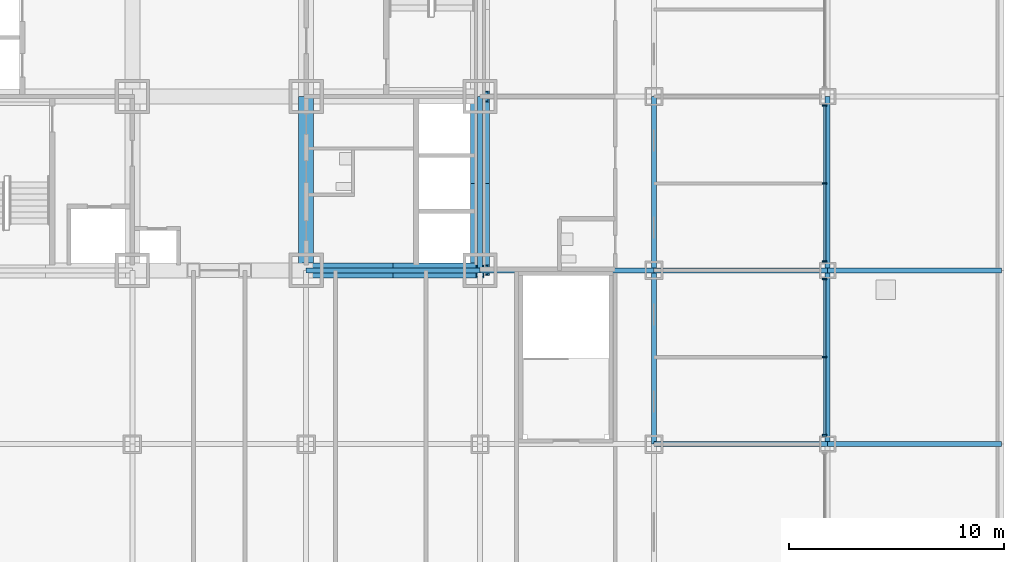
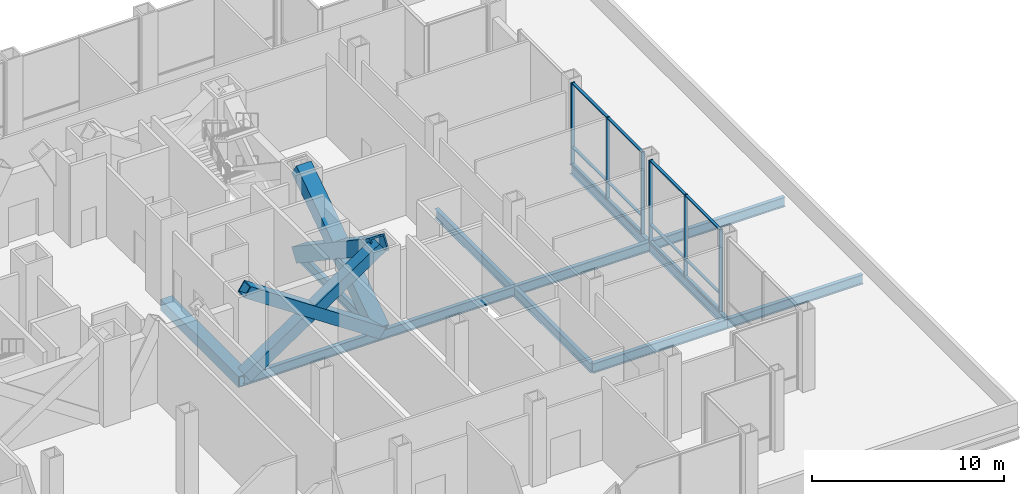
# One storey, part 6 of 18: 22 members, 12 beams, 2 elements without a shape of their own.
"""IFC4 building model written with IfcOpenShell, lengths in metres."""

from ifc_helpers import new_model, si_unit, direction, frame, origin, origin_2d, place, context, subcontext, project, spatial, rectangle, hollow_rectangle, i_section, extrude, material, material_profile, profile_set, type_object, element, aggregate, save


model = new_model("IFC4")

# Units and contexts
model_context = context("Model", 3, precision=1e-05, world=origin(), true_north=direction((0.0, 1.0)))
body_context = subcontext(model_context, "Body", "Model", "MODEL_VIEW")
ifc_project = project(units=[si_unit("LENGTHUNIT", "METRE"), si_unit("AREAUNIT", "SQUARE_METRE"), si_unit("VOLUMEUNIT", "CUBIC_METRE"), si_unit("PLANEANGLEUNIT", "RADIAN"), si_unit("MASSUNIT", "GRAM", prefix="KILO")], contexts=[model_context])

# Site, building, storey
site_placement = place(None, origin())
site = spatial("IfcSite", under=ifc_project, at=site_placement, CompositionType="ELEMENT")
building_placement = place(site_placement, origin())
building = spatial("IfcBuilding", under=site, at=building_placement, Name="Kopane Lantern Tower", CompositionType="ELEMENT")
storey_placement = place(building_placement, frame((0.0, 0.0, 22.199951171875)))
storey = spatial("IfcBuildingStorey", under=building, at=storey_placement, Name="L04", CompositionType="ELEMENT", Elevation=22.199951171875)

# Members
ifc_material_1 = material(Name="Steel S355JR", Category="steel")
ifc_material_profile_1 = material_profile(ifc_material_1, hollow_rectangle(XDim=0.699951171875, YDim=0.699951171875, WallThickness=0.06005859375, at=origin_2d()), Name="BOX 700x700x60")
ifc_profile_set_1 = profile_set([ifc_material_profile_1], Name="Steel S355JR")
member_type_1 = type_object("IfcMemberType", Name="BRACE BOX 700x700x60", PredefinedType="BRACE", material=ifc_profile_set_1)
for number, where, z_axis, x_axis, name in (
    (1, (32.39990234375, 24.300048828125, -0.25), (0.830159256911, 0.0, 0.557526329571), (0.0, 1.0, 0.0), "Core brace L04"),
    (2, (40.5, 24.300048828125, -0.25), (-0.830159256911, 0.0, 0.557526329571), (0.0, -1.0, 0.0), "Core brace L04"),
):
    element("IfcMember", number, at=place(storey_placement, frame(where, z_axis=z_axis, x_axis=x_axis)), inside=storey, type_object=member_type_1, Name=name, PredefinedType="BRACE", context=body_context, shape_type="SweptSolid", body=[
        extrude(hollow_rectangle(XDim=0.699951171875, YDim=0.699951171875, WallThickness=0.06005859375, at=origin_2d()), origin(), (0.0, 0.0, 1.0), 9.75732421875),
    ])
ifc_material_2 = material(Name="Steel S355JR", Category="steel")
ifc_material_profile_2 = material_profile(ifc_material_2, hollow_rectangle(XDim=0.89990234375, YDim=0.89990234375, WallThickness=0.090087890625, at=origin_2d()), Name="BOX 900x900x90")
ifc_profile_set_2 = profile_set([ifc_material_profile_2], Name="Steel S355JR")
member_type_2 = type_object("IfcMemberType", Name="BRACE BOX 900x900x90", PredefinedType="BRACE", material=ifc_profile_set_2)
for number, where, z_axis, x_axis, name in (
    (3, (40.5, 24.300048828125, -0.25), (0.0, 0.830151479134, 0.557537910542), (-1.0, 0.0, 0.0), "Core brace L04"),
    (4, (40.5, 32.39990234375, -0.25), (0.0, -0.830151479134, 0.557537910542), (1.0, 0.0, 0.0), "Core brace L04"),
):
    element("IfcMember", number, at=place(storey_placement, frame(where, z_axis=z_axis, x_axis=x_axis)), inside=storey, type_object=member_type_2, Name=name, PredefinedType="BRACE", context=body_context, shape_type="SweptSolid", body=[
        extrude(hollow_rectangle(XDim=0.89990234375, YDim=0.89990234375, WallThickness=0.090087890625, at=origin_2d()), origin(), (0.0, 0.0, 1.0), 9.757080078125),
    ])

# Beams
ifc_material_3 = material(Name="Steel S355JR", Category="steel")
ifc_material_profile_3 = material_profile(ifc_material_3, hollow_rectangle(XDim=0.699951171875, YDim=0.699951171875, WallThickness=0.06005859375, at=origin_2d()), Name="BOX 700x700x60")
ifc_profile_set_3 = profile_set([ifc_material_profile_3], Name="Steel S355JR")
beam_type_1 = type_object("IfcBeamType", Name="CORE BEAM BOX 700x700x60", PredefinedType="BEAM", material=ifc_profile_set_3)
beam_1_placement = place(storey_placement, frame((32.39990234375, 24.300048828125, -0.599853515625), z_axis=(0.0, 1.0, 0.0), x_axis=(-1.0, 0.0, 0.0)))
element("IfcBeam", 5, at=beam_1_placement, inside=storey, type_object=beam_type_1, Name="Core Beam L04", PredefinedType="BEAM", context=body_context, shape_type="SweptSolid", body=[
    extrude(hollow_rectangle(XDim=0.699951171875, YDim=0.699951171875, WallThickness=0.06005859375, at=origin_2d()), origin(), (0.0, 0.0, 1.0), 8.099853515625),
])
ifc_material_4 = material(Name="Steel S355JR", Category="steel")
ifc_material_profile_4 = material_profile(ifc_material_4, i_section(OverallWidth=0.22900390625, OverallDepth=0.6123046875, WebThickness=0.011962890625, FlangeThickness=0.01953125, FilletRadius=0.0126953125, at=origin_2d()), Name="UB 610x229x125")
ifc_profile_set_4 = profile_set([ifc_material_profile_4], Name="Steel S355JR")
beam_type_2 = type_object("IfcBeamType", Name="GIRDER UB 610x229x125", PredefinedType="BEAM", material=ifc_profile_set_4)
beam_2_placement = place(storey_placement, frame((32.39990234375, 24.300048828125, -0.55615234375), z_axis=(1.0, 0.0, 0.0), x_axis=(0.0, 1.0, 0.0)))
element("IfcBeam", 6, at=beam_2_placement, inside=storey, type_object=beam_type_2, Name="Girder L04", PredefinedType="BEAM", context=body_context, shape_type="SweptSolid", body=[
    extrude(i_section(OverallWidth=0.22900390625, OverallDepth=0.6123046875, WebThickness=0.011962890625, FlangeThickness=0.01953125, FilletRadius=0.0126953125, at=origin_2d()), origin(), (0.0, 0.0, 1.0), 8.10009765625),
])
beam_3_placement = place(storey_placement, frame((40.5, 24.300048828125, -0.55615234375), z_axis=(0.0, 1.0, 0.0), x_axis=(-1.0, 0.0, 0.0)))
element("IfcBeam", 7, at=beam_3_placement, inside=storey, type_object=beam_type_2, Name="Girder L04", PredefinedType="BEAM", context=body_context, shape_type="SweptSolid", body=[
    extrude(i_section(OverallWidth=0.22900390625, OverallDepth=0.6123046875, WebThickness=0.011962890625, FlangeThickness=0.01953125, FilletRadius=0.0126953125, at=origin_2d()), origin(), (0.0, 0.0, 1.0), 8.099853515625),
])
for number, where, z_axis, x_axis, name in (
    (8, (40.5, 24.300048828125, -0.55615234375), (1.0, 0.0, 0.0), (0.0, 1.0, 0.0), "Girder L04"),
    (9, (48.60009765625, 16.199951171875, -0.55615234375), (0.0, 1.0, 0.0), (-1.0, 0.0, 0.0), "Girder L04"),
):
    element("IfcBeam", number, at=place(storey_placement, frame(where, z_axis=z_axis, x_axis=x_axis)), inside=storey, type_object=beam_type_2, Name=name, PredefinedType="BEAM", context=body_context, shape_type="SweptSolid", body=[
        extrude(i_section(OverallWidth=0.22900390625, OverallDepth=0.6123046875, WebThickness=0.011962890625, FlangeThickness=0.01953125, FilletRadius=0.0126953125, at=origin_2d()), origin(), (0.0, 0.0, 1.0), 8.10009765625),
    ])
for number, where, z_axis, x_axis, name in (
    (10, (48.60009765625, 16.199951171875, -0.55615234375), (1.0, 0.0, 0.0), (0.0, 1.0, 0.0), "Girder L04"),
    (11, (48.60009765625, 24.300048828125, -0.55615234375), (0.0, 1.0, 0.0), (-1.0, 0.0, 0.0), "Girder L04"),
    (12, (48.60009765625, 24.300048828125, -0.55615234375), (1.0, 0.0, 0.0), (0.0, 1.0, 0.0), "Girder L04"),
):
    element("IfcBeam", number, at=place(storey_placement, frame(where, z_axis=z_axis, x_axis=x_axis)), inside=storey, type_object=beam_type_2, Name=name, PredefinedType="BEAM", context=body_context, shape_type="SweptSolid", body=[
        extrude(i_section(OverallWidth=0.22900390625, OverallDepth=0.6123046875, WebThickness=0.011962890625, FlangeThickness=0.01953125, FilletRadius=0.0126953125, at=origin_2d()), origin(), (0.0, 0.0, 1.0), 8.099853515625),
    ])
for number, where, z_axis, x_axis, name in (
    (13, (56.699951171875, 16.199951171875, -0.55615234375), (0.0, 1.0, 0.0), (-1.0, 0.0, 0.0), "Girder L04"),
    (14, (56.699951171875, 16.199951171875, -0.55615234375), (1.0, 0.0, 0.0), (0.0, 1.0, 0.0), "Girder L04"),
):
    element("IfcBeam", number, at=place(storey_placement, frame(where, z_axis=z_axis, x_axis=x_axis)), inside=storey, type_object=beam_type_2, Name=name, PredefinedType="BEAM", context=body_context, shape_type="SweptSolid", body=[
        extrude(i_section(OverallWidth=0.22900390625, OverallDepth=0.6123046875, WebThickness=0.011962890625, FlangeThickness=0.01953125, FilletRadius=0.0126953125, at=origin_2d()), origin(), (0.0, 0.0, 1.0), 8.10009765625),
    ])
beam_4_placement = place(storey_placement, frame((56.699951171875, 24.300048828125, -0.55615234375), z_axis=(0.0, 1.0, 0.0), x_axis=(-1.0, 0.0, 0.0)))
element("IfcBeam", 15, at=beam_4_placement, inside=storey, type_object=beam_type_2, Name="Girder L04", PredefinedType="BEAM", context=body_context, shape_type="SweptSolid", body=[
    extrude(i_section(OverallWidth=0.22900390625, OverallDepth=0.6123046875, WebThickness=0.011962890625, FlangeThickness=0.01953125, FilletRadius=0.0126953125, at=origin_2d()), origin(), (0.0, 0.0, 1.0), 8.099853515625),
])
beam_5_placement = place(storey_placement, frame((56.699951171875, 24.300048828125, -0.55615234375), z_axis=(1.0, 0.0, 0.0), x_axis=(0.0, 1.0, 0.0)))
element("IfcBeam", 16, at=beam_5_placement, inside=storey, type_object=beam_type_2, Name="Girder L04", PredefinedType="BEAM", context=body_context, shape_type="SweptSolid", body=[
    extrude(i_section(OverallWidth=0.22900390625, OverallDepth=0.6123046875, WebThickness=0.011962890625, FlangeThickness=0.01953125, FilletRadius=0.0126953125, at=origin_2d()), origin(), (0.0, 0.0, 1.0), 8.10009765625),
])

# Curtain wall, members
ifc_material_5 = material(Name="Aluminium and clear glass", Category="aluminium")
curtain_wall_type = type_object("IfcCurtainWallType", Name="CURTAIN WALL CW3 SKY LOBBY", PredefinedType="USERDEFINED", material=ifc_material_5)
curtain_wall_1_placement = place(storey_placement, origin())
curtain_wall_1 = element("IfcCurtainWall", 17, at=curtain_wall_1_placement, inside=storey, type_object=curtain_wall_type, Name="Curtain wall CW3 E L04", ObjectType="CURTAIN WALL", PredefinedType="USERDEFINED")
ifc_material_6 = material(Name="Aluminium", Category="aluminium")
ifc_material_profile_5 = material_profile(ifc_material_6, rectangle(XDim=0.070068359375, YDim=0.22509765625, at=origin_2d()), Name="AL 70x225")
ifc_profile_set_5 = profile_set([ifc_material_profile_5], Name="Aluminium")
member_type_3 = type_object("IfcMemberType", Name="MULLION CW3-M 70x225", PredefinedType="MULLION", material=ifc_profile_set_5)
member_1_placement = place(storey_placement, frame((56.550048828125, 16.614990234375, 0.0), z_axis=(0.0, 0.0, 1.0), x_axis=(0.0, 1.0, 0.0)))
member_1 = element("IfcMember", 18, at=member_1_placement, type_object=member_type_3, Name="CW3 mullion 1", PredefinedType="MULLION", context=body_context, shape_type="SweptSolid", body=[
    extrude(rectangle(XDim=0.070068359375, YDim=0.22509765625, at=origin_2d()), origin(), (0.0, 0.0, 1.0), 5.18994140625),
])
member_2_placement = place(storey_placement, frame((56.550048828125, 20.25, 0.0), z_axis=(0.0, 0.0, 1.0), x_axis=(0.0, 1.0, 0.0)))
member_2 = element("IfcMember", 19, at=member_2_placement, type_object=member_type_3, Name="CW3 mullion 2", PredefinedType="MULLION", context=body_context, shape_type="SweptSolid", body=[
    extrude(rectangle(XDim=0.070068359375, YDim=0.22509765625, at=origin_2d()), origin(), (0.0, 0.0, 1.0), 5.18994140625),
])
member_3_placement = place(storey_placement, frame((56.550048828125, 23.885009765625, 0.0), z_axis=(0.0, 0.0, 1.0), x_axis=(0.0, 1.0, 0.0)))
member_3 = element("IfcMember", 20, at=member_3_placement, type_object=member_type_3, Name="CW3 mullion 3", PredefinedType="MULLION", context=body_context, shape_type="SweptSolid", body=[
    extrude(rectangle(XDim=0.070068359375, YDim=0.22509765625, at=origin_2d()), origin(), (0.0, 0.0, 1.0), 5.18994140625),
])

curtain_wall_2_placement = place(storey_placement, origin())
curtain_wall_2 = element("IfcCurtainWall", 21, at=curtain_wall_2_placement, inside=storey, type_object=curtain_wall_type, Name="Curtain wall CW3 E L04", ObjectType="CURTAIN WALL", PredefinedType="USERDEFINED")
member_4_placement = place(storey_placement, frame((56.550048828125, 24.715087890625, 0.0), z_axis=(0.0, 0.0, 1.0), x_axis=(0.0, 1.0, 0.0)))
member_4 = element("IfcMember", 22, at=member_4_placement, type_object=member_type_3, Name="CW3 mullion 1", PredefinedType="MULLION", context=body_context, shape_type="SweptSolid", body=[
    extrude(rectangle(XDim=0.070068359375, YDim=0.22509765625, at=origin_2d()), origin(), (0.0, 0.0, 1.0), 5.18994140625),
])
member_5_placement = place(storey_placement, frame((56.550048828125, 28.35009765625, 0.0), z_axis=(0.0, 0.0, 1.0), x_axis=(0.0, 1.0, 0.0)))
member_5 = element("IfcMember", 23, at=member_5_placement, type_object=member_type_3, Name="CW3 mullion 2", PredefinedType="MULLION", context=body_context, shape_type="SweptSolid", body=[
    extrude(rectangle(XDim=0.070068359375, YDim=0.22509765625, at=origin_2d()), origin(), (0.0, 0.0, 1.0), 5.18994140625),
])
member_6_placement = place(storey_placement, frame((56.550048828125, 31.985107421875, 0.0), z_axis=(0.0, 0.0, 1.0), x_axis=(0.0, 1.0, 0.0)))
member_6 = element("IfcMember", 24, at=member_6_placement, type_object=member_type_3, Name="CW3 mullion 3", PredefinedType="MULLION", context=body_context, shape_type="SweptSolid", body=[
    extrude(rectangle(XDim=0.070068359375, YDim=0.22509765625, at=origin_2d()), origin(), (0.0, 0.0, 1.0), 5.18994140625),
])

# Member
ifc_material_7 = material(Name="Aluminium", Category="aluminium")
ifc_material_profile_6 = material_profile(ifc_material_7, rectangle(XDim=0.159912109375, YDim=0.070068359375, at=origin_2d()), Name="AL 160x70")
ifc_profile_set_6 = profile_set([ifc_material_profile_6], Name="Aluminium")
member_type_4 = type_object("IfcMemberType", Name="TRANSOM CW3-T 70x160", PredefinedType="USERDEFINED", material=ifc_profile_set_6)
member_7_placement = place(storey_placement, frame((56.550048828125, 16.64990234375, 0.03515625), z_axis=(0.0, 1.0, 0.0), x_axis=(-1.0, 0.0, 0.0)))
member_7 = element("IfcMember", 25, at=member_7_placement, type_object=member_type_4, Name="CW3 transom 1.1", ObjectType="TRANSOM", PredefinedType="USERDEFINED", context=body_context, shape_type="SweptSolid", body=[
    extrude(rectangle(XDim=0.159912109375, YDim=0.070068359375, at=origin_2d()), origin(), (0.0, 0.0, 1.0), 3.565185546875),
])

member_8_placement = place(storey_placement, frame((56.550048828125, 16.64990234375, 1.10009765625), z_axis=(0.0, 1.0, 0.0), x_axis=(-1.0, 0.0, 0.0)))
member_8 = element("IfcMember", 26, at=member_8_placement, type_object=member_type_4, Name="CW3 transom 1.2", ObjectType="TRANSOM", PredefinedType="USERDEFINED", context=body_context, shape_type="SweptSolid", body=[
    extrude(rectangle(XDim=0.159912109375, YDim=0.070068359375, at=origin_2d()), origin(), (0.0, 0.0, 1.0), 3.565185546875),
])

member_9_placement = place(storey_placement, frame((56.550048828125, 16.64990234375, 5.155029296875), z_axis=(0.0, 1.0, 0.0), x_axis=(-1.0, 0.0, 0.0)))
member_9 = element("IfcMember", 27, at=member_9_placement, type_object=member_type_4, Name="CW3 transom 1.3", ObjectType="TRANSOM", PredefinedType="USERDEFINED", context=body_context, shape_type="SweptSolid", body=[
    extrude(rectangle(XDim=0.159912109375, YDim=0.070068359375, at=origin_2d()), origin(), (0.0, 0.0, 1.0), 3.565185546875),
])

member_10_placement = place(storey_placement, frame((56.550048828125, 20.284912109375, 0.03515625), z_axis=(0.0, 1.0, 0.0), x_axis=(-1.0, 0.0, 0.0)))
member_10 = element("IfcMember", 28, at=member_10_placement, type_object=member_type_4, Name="CW3 transom 2.1", ObjectType="TRANSOM", PredefinedType="USERDEFINED", context=body_context, shape_type="SweptSolid", body=[
    extrude(rectangle(XDim=0.159912109375, YDim=0.070068359375, at=origin_2d()), origin(), (0.0, 0.0, 1.0), 3.565185546875),
])

member_11_placement = place(storey_placement, frame((56.550048828125, 20.284912109375, 1.10009765625), z_axis=(0.0, 1.0, 0.0), x_axis=(-1.0, 0.0, 0.0)))
member_11 = element("IfcMember", 29, at=member_11_placement, type_object=member_type_4, Name="CW3 transom 2.2", ObjectType="TRANSOM", PredefinedType="USERDEFINED", context=body_context, shape_type="SweptSolid", body=[
    extrude(rectangle(XDim=0.159912109375, YDim=0.070068359375, at=origin_2d()), origin(), (0.0, 0.0, 1.0), 3.565185546875),
])

member_12_placement = place(storey_placement, frame((56.550048828125, 20.284912109375, 5.155029296875), z_axis=(0.0, 1.0, 0.0), x_axis=(-1.0, 0.0, 0.0)))
member_12 = element("IfcMember", 30, at=member_12_placement, type_object=member_type_4, Name="CW3 transom 2.3", ObjectType="TRANSOM", PredefinedType="USERDEFINED", context=body_context, shape_type="SweptSolid", body=[
    extrude(rectangle(XDim=0.159912109375, YDim=0.070068359375, at=origin_2d()), origin(), (0.0, 0.0, 1.0), 3.565185546875),
])

aggregate(curtain_wall_1, [member_1, member_2, member_3, member_7, member_8, member_9, member_10, member_11, member_12])

member_13_placement = place(storey_placement, frame((56.550048828125, 24.75, 0.03515625), z_axis=(0.0, 1.0, 0.0), x_axis=(-1.0, 0.0, 0.0)))
member_13 = element("IfcMember", 31, at=member_13_placement, type_object=member_type_4, Name="CW3 transom 1.1", ObjectType="TRANSOM", PredefinedType="USERDEFINED", context=body_context, shape_type="SweptSolid", body=[
    extrude(rectangle(XDim=0.159912109375, YDim=0.070068359375, at=origin_2d()), origin(), (0.0, 0.0, 1.0), 3.56494140625),
])

member_14_placement = place(storey_placement, frame((56.550048828125, 24.75, 1.10009765625), z_axis=(0.0, 1.0, 0.0), x_axis=(-1.0, 0.0, 0.0)))
member_14 = element("IfcMember", 32, at=member_14_placement, type_object=member_type_4, Name="CW3 transom 1.2", ObjectType="TRANSOM", PredefinedType="USERDEFINED", context=body_context, shape_type="SweptSolid", body=[
    extrude(rectangle(XDim=0.159912109375, YDim=0.070068359375, at=origin_2d()), origin(), (0.0, 0.0, 1.0), 3.56494140625),
])

member_15_placement = place(storey_placement, frame((56.550048828125, 24.75, 5.155029296875), z_axis=(0.0, 1.0, 0.0), x_axis=(-1.0, 0.0, 0.0)))
member_15 = element("IfcMember", 33, at=member_15_placement, type_object=member_type_4, Name="CW3 transom 1.3", ObjectType="TRANSOM", PredefinedType="USERDEFINED", context=body_context, shape_type="SweptSolid", body=[
    extrude(rectangle(XDim=0.159912109375, YDim=0.070068359375, at=origin_2d()), origin(), (0.0, 0.0, 1.0), 3.56494140625),
])

member_16_placement = place(storey_placement, frame((56.550048828125, 28.385009765625, 0.03515625), z_axis=(0.0, 1.0, 0.0), x_axis=(-1.0, 0.0, 0.0)))
member_16 = element("IfcMember", 34, at=member_16_placement, type_object=member_type_4, Name="CW3 transom 2.1", ObjectType="TRANSOM", PredefinedType="USERDEFINED", context=body_context, shape_type="SweptSolid", body=[
    extrude(rectangle(XDim=0.159912109375, YDim=0.070068359375, at=origin_2d()), origin(), (0.0, 0.0, 1.0), 3.56494140625),
])

member_17_placement = place(storey_placement, frame((56.550048828125, 28.385009765625, 1.10009765625), z_axis=(0.0, 1.0, 0.0), x_axis=(-1.0, 0.0, 0.0)))
member_17 = element("IfcMember", 35, at=member_17_placement, type_object=member_type_4, Name="CW3 transom 2.2", ObjectType="TRANSOM", PredefinedType="USERDEFINED", context=body_context, shape_type="SweptSolid", body=[
    extrude(rectangle(XDim=0.159912109375, YDim=0.070068359375, at=origin_2d()), origin(), (0.0, 0.0, 1.0), 3.56494140625),
])

member_18_placement = place(storey_placement, frame((56.550048828125, 28.385009765625, 5.155029296875), z_axis=(0.0, 1.0, 0.0), x_axis=(-1.0, 0.0, 0.0)))
member_18 = element("IfcMember", 36, at=member_18_placement, type_object=member_type_4, Name="CW3 transom 2.3", ObjectType="TRANSOM", PredefinedType="USERDEFINED", context=body_context, shape_type="SweptSolid", body=[
    extrude(rectangle(XDim=0.159912109375, YDim=0.070068359375, at=origin_2d()), origin(), (0.0, 0.0, 1.0), 3.56494140625),
])

aggregate(curtain_wall_2, [member_4, member_5, member_6, member_13, member_14, member_15, member_16, member_17, member_18])

save(model, "model.ifc")
